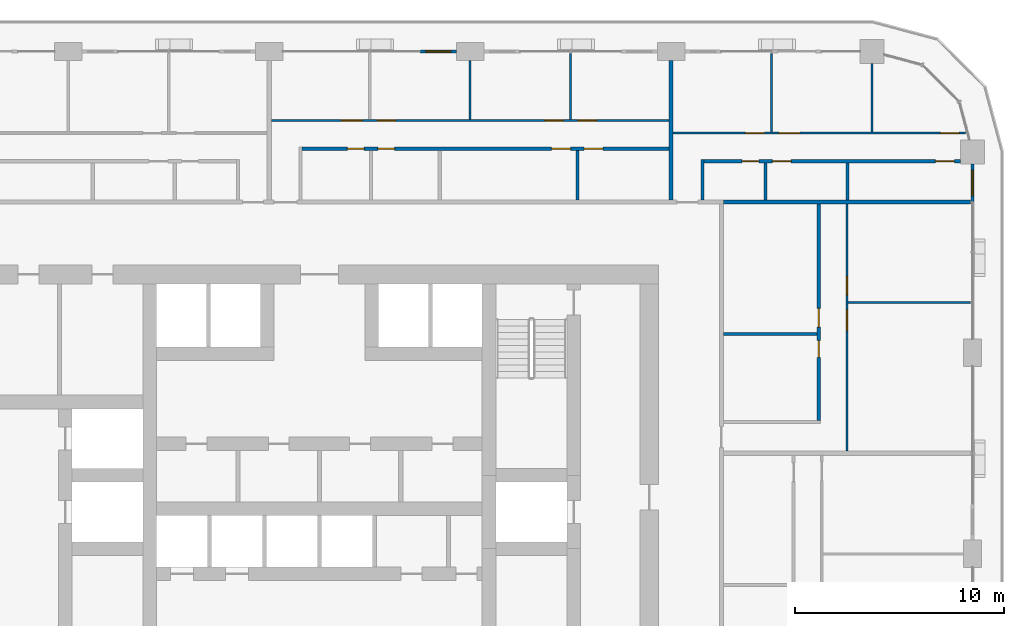
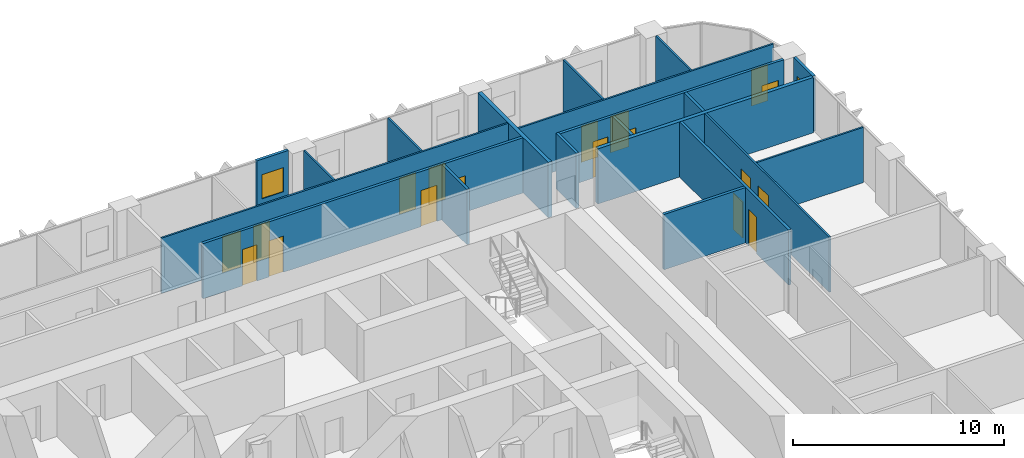
# One storey, part 15 of 22: 20 walls, 18 doors, 2 windows, 20 openings.
"""IFC4 building model written with IfcOpenShell, lengths in metres."""

import ifcopenshell
import ifcopenshell.guid

model = None  # the IFC model being written
_history = None  # IfcOwnerHistory: only IFC2X3 demands one
_inside = {}  # id of a spatial element -> (the spatial element, [elements in it])
_under = {}  # id of a project, library or spatial element -> (it, [spatial elements below it])
_declared = {}  # id of a project -> (the project, [libraries it declares])
_typed = {}  # id of a type object -> (the type object, [elements of that type])
_made_of = {}  # id of a material, layer set ... -> (it, [elements and type objects made of it])


def new_model(schema):
    """Start an empty IFC model of exactly this schema.

    Asked for "IFC4X3", IfcOpenShell would pick the latest addendum, in which some entities
    have other attributes; the version numbers below select the first issue.
    IFC2X3 requires an IfcOwnerHistory on every rooted entity: one is made here for all.
    """
    global model, _history
    if schema == "IFC4X3":
        model = ifcopenshell.file(schema_version=(4, 3, 0, 0))
    else:
        model = ifcopenshell.file(schema=schema)
    _inside.clear()
    _under.clear()
    _declared.clear()
    _typed.clear()
    _made_of.clear()
    _history = None
    if model.schema == "IFC2X3":
        org = make("IfcOrganization", Name="unknown")
        user = make(
            "IfcPersonAndOrganization",
            ThePerson=make("IfcPerson", FamilyName="unknown"),
            TheOrganization=org,
        )
        app = make(
            "IfcApplication",
            ApplicationDeveloper=org,
            Version="unknown",
            ApplicationFullName="unknown",
            ApplicationIdentifier="unknown",
        )
        _history = make(
            "IfcOwnerHistory",
            OwningUser=user,
            OwningApplication=app,
            ChangeAction="ADDED",
            CreationDate=0,
        )
    return model


def make(cls, **values):
    """One entity of the class cls with the attributes given. An attribute that is None is left unset."""
    return model.create_entity(
        cls, **{name: value for name, value in values.items() if value is not None}
    )


def rooted(cls, **values):
    """An entity with a GlobalId (a new one), such as an element, a storey or a relation."""
    return make(cls, GlobalId=ifcopenshell.guid.new(), OwnerHistory=_history, **values)


def si_unit(unit_type, name, prefix=None):
    """IfcSIUnit, for example si_unit("LENGTHUNIT", "METRE", prefix="MILLI")."""
    return make("IfcSIUnit", UnitType=unit_type, Prefix=prefix, Name=name)


def assignment(units):
    """IfcUnitAssignment: the units of a project."""
    return None if units is None else make("IfcUnitAssignment", Units=units)


def point(xyz):
    """IfcCartesianPoint."""
    return None if xyz is None else make("IfcCartesianPoint", Coordinates=xyz)


def direction(xyz):
    """IfcDirection."""
    return None if xyz is None else make("IfcDirection", DirectionRatios=xyz)


def frame(location, z_axis=None, x_axis=None):
    """IfcAxis2Placement3D, a coordinate frame: its origin and axes. An axis left out is left unset."""
    return make(
        "IfcAxis2Placement3D",
        Location=point(location),
        Axis=direction(z_axis),
        RefDirection=direction(x_axis),
    )


def frame_2d(location, x_axis=None):
    """IfcAxis2Placement2D, a coordinate frame in the plane: its origin and x axis."""
    return make(
        "IfcAxis2Placement2D", Location=point(location), RefDirection=direction(x_axis)
    )


def origin():
    """The frame at (0, 0, 0) with its axes left unset."""
    return frame((0.0, 0.0, 0.0))


def place(relative_to, where):
    """IfcLocalPlacement: puts the frame where relative to a parent placement (None: the world)."""
    return make(
        "IfcLocalPlacement", PlacementRelTo=relative_to, RelativePlacement=where
    )


def context(
    kind, dimensions, precision=None, world=None, true_north=None, identifier=None
):
    """IfcGeometricRepresentationContext, for example the 3D "Model" context."""
    return make(
        "IfcGeometricRepresentationContext",
        ContextIdentifier=identifier,
        ContextType=kind,
        CoordinateSpaceDimension=dimensions,
        Precision=precision,
        WorldCoordinateSystem=world,
        TrueNorth=true_north,
    )


def subcontext(parent, identifier, kind, view, scale=None):
    """IfcGeometricRepresentationSubContext, for example "Body" below "Model"."""
    return make(
        "IfcGeometricRepresentationSubContext",
        ContextIdentifier=identifier,
        ContextType=kind,
        ParentContext=parent,
        TargetScale=scale,
        TargetView=view,
    )


def project(units=None, contexts=None):
    """IfcProject with its units and contexts."""
    return rooted(
        "IfcProject",
        Name="project",
        RepresentationContexts=contexts,
        UnitsInContext=assignment(units),
    )


def spatial(cls, under=None, at=None, **own):
    """A site, building, storey or space (cls), placed at a placement, below another one or the project."""
    s = rooted(cls, ObjectPlacement=at, **own)
    if under is not None:
        _under.setdefault(under.id(), (under, []))[1].append(s)
    return s


def profile(cls, at=None, kind="AREA", **sizes):
    """A parametric profile (cls). Its sizes go by their IFC names, for example OverallWidth=200.0."""
    return make(cls, ProfileType=kind, Position=at, **sizes)


def rectangle(**sizes):
    """IfcRectangleProfileDef."""
    return profile("IfcRectangleProfileDef", **sizes)


def extrude(swept, where, along, depth):
    """IfcExtrudedAreaSolid: the profile swept, set in the frame where, extruded along a direction by depth."""
    return make(
        "IfcExtrudedAreaSolid",
        SweptArea=swept,
        Position=where,
        ExtrudedDirection=direction(along),
        Depth=depth,
    )


def shape(context_of_items, identifier, shape_type, items):
    """IfcShapeRepresentation: the items that make up one representation, for example the "Body"."""
    return make(
        "IfcShapeRepresentation",
        ContextOfItems=context_of_items,
        RepresentationIdentifier=identifier,
        RepresentationType=shape_type,
        Items=items,
    )


def material(Name=None, Category=None):
    """IfcMaterial."""
    return make("IfcMaterial", Name=Name, Category=Category)


def layer(
    of_material, thickness, ventilated=None, Name=None, Category=None, Priority=None
):
    """IfcMaterialLayer: one layer of a wall or slab, of a material (None: an air gap)."""
    return make(
        "IfcMaterialLayer",
        Material=of_material,
        LayerThickness=thickness,
        IsVentilated=ventilated,
        Name=Name,
        Category=Category,
        Priority=Priority,
    )


def layer_set(layers, Name=None):
    """IfcMaterialLayerSet."""
    return make("IfcMaterialLayerSet", MaterialLayers=layers, LayerSetName=Name)


def made_of(thing, what):
    """Note that an element or type object is made of a material, layer set ...; save() writes the relation."""
    if what is not None:
        _made_of.setdefault(what.id(), (what, []))[1].append(thing)
    return thing


def type_object(cls, material=None, **own):
    """A type object (cls), such as IfcWallType, which elements share."""
    return made_of(rooted(cls, **own), material)


def element(
    cls,
    number,
    at=None,
    inside=None,
    cuts=None,
    type_object=None,
    material=None,
    context=None,
    identifier="Body",
    shape_type=None,
    held_by="IfcProductDefinitionShape",
    body=None,
    shapes=None,
    **own,
):
    """One element of the class cls, such as IfcWall. Its Tag is "e" and its number.

    at: its placement. inside: the storey or other place that contains it. cuts: it is an
    opening in that element (IfcRelVoidsElement). A single representation is given by context,
    identifier, shape_type and body (its items); several are given by shapes. held_by: the class
    of the entity that holds the representations. save() writes the other relations.
    """
    e = rooted(cls, Tag="e%d" % number, ObjectPlacement=at, **own)
    if body is not None:
        shapes = [shape(context, identifier, shape_type, body)]
    if shapes is not None:
        e.Representation = make(held_by, Representations=shapes)
    if inside is not None:
        _inside.setdefault(inside.id(), (inside, []))[1].append(e)
    if cuts is not None:
        rooted(
            "IfcRelVoidsElement", RelatingBuildingElement=cuts, RelatedOpeningElement=e
        )
    if type_object is not None:
        _typed.setdefault(type_object.id(), (type_object, []))[1].append(e)
    return made_of(e, material)


def fill(opening, filler):
    """IfcRelFillsElement: the door or window that sits in an opening."""
    return rooted(
        "IfcRelFillsElement",
        RelatingOpeningElement=opening,
        RelatedBuildingElement=filler,
    )


def aggregate(whole, parts):
    """IfcRelAggregates: a whole, such as a stair, and the parts it consists of."""
    return rooted("IfcRelAggregates", RelatingObject=whole, RelatedObjects=parts)


def save(model, path):
    """Write the relations noted so far, then the file.

    IfcRelAggregates (storeys below a building ...), IfcRelContainedInSpatialStructure (elements
    in a storey), IfcRelDefinesByType, IfcRelAssociatesMaterial and IfcRelDeclares: one each for
    every whole, place, type object, material and project.
    """
    for whole, parts in _under.values():
        aggregate(whole, parts)
    for where, things in _inside.values():
        rooted(
            "IfcRelContainedInSpatialStructure",
            RelatedElements=things,
            RelatingStructure=where,
        )
    for kind, things in _typed.values():
        rooted("IfcRelDefinesByType", RelatedObjects=things, RelatingType=kind)
    for what, things in _made_of.values():
        rooted("IfcRelAssociatesMaterial", RelatedObjects=things, RelatingMaterial=what)
    for by, libraries in _declared.values():
        rooted("IfcRelDeclares", RelatingContext=by, RelatedDefinitions=libraries)
    model.write(path)


model = new_model("IFC4")

# Units and contexts
model_context = context("Model", 3, precision=1e-05, world=origin(), true_north=direction((0.0, 1.0)))
body_context = subcontext(model_context, "Body", "Model", "MODEL_VIEW")
ifc_project = project(units=[si_unit("LENGTHUNIT", "METRE"), si_unit("AREAUNIT", "SQUARE_METRE"), si_unit("VOLUMEUNIT", "CUBIC_METRE"), si_unit("PLANEANGLEUNIT", "RADIAN"), si_unit("MASSUNIT", "GRAM", prefix="KILO")], contexts=[model_context])

# Site, building, storey
site_placement = place(None, origin())
site = spatial("IfcSite", under=ifc_project, at=site_placement, CompositionType="ELEMENT")
building_placement = place(site_placement, origin())
building = spatial("IfcBuilding", under=site, at=building_placement, Name="Madar Terraces", CompositionType="ELEMENT")
storey_placement = place(building_placement, frame((0.0, 0.0, 59.300048828125)))
storey = spatial("IfcBuildingStorey", under=building, at=storey_placement, Name="L14", CompositionType="ELEMENT", Elevation=59.300048828125)

# Wall, opening, window
ifc_material_1 = material(Name="Aluminium composite panel, black, over insulated backing", Category="aluminium")
ifc_layer_1 = layer(ifc_material_1, 0.14990234375)
ifc_layer_set_1 = layer_set([ifc_layer_1], Name="Facade bay panel 150")
wall_type_1 = type_object("IfcWallType", Name="Facade bay panel 150", PredefinedType="SOLIDWALL", material=ifc_layer_set_1)
wall_1_placement = place(storey_placement, frame((62.39990234375, 40.800048828125, 0.0), z_axis=(0.0, 0.0, 1.0), x_axis=(0.0, 1.0, 0.0)))
wall_1 = element("IfcWall", 1, at=wall_1_placement, inside=storey, type_object=wall_type_1, Name="Facade bay panel", PredefinedType="SOLIDWALL", context=body_context, shape_type="SweptSolid", body=[
    extrude(rectangle(XDim=1.824951171875, YDim=0.14990234375, at=frame_2d((0.91259765625, 0.0))), origin(), (0.0, 0.0, 1.0), 3.199951171875),
])
opening_1_placement = place(wall_1_placement, frame((0.3125, 0.0, 0.89990234375)))
opening_1 = element("IfcOpeningElement", 2, at=opening_1_placement, cuts=wall_1, Name="Opening W1", PredefinedType="OPENING", context=body_context, shape_type="SweptSolid", body=[
    extrude(rectangle(XDim=1.199951171875, YDim=1.39990234375, at=frame_2d((0.60009765625, 0.699951171875))), frame((0.0, 0.0849609375, 0.0), z_axis=(0.0, -1.0, 0.0), x_axis=(1.0, 0.0, 0.0)), (0.0, 0.0, 1.0), 0.169921875),
])
ifc_material_2 = material(Name="Glass, clear, with black aluminium frame", Category="aluminium")
window_type = type_object("IfcWindowType", Name="Vent window 1200 x 1400", PartitioningType="SINGLE_PANEL", PredefinedType="WINDOW", material=ifc_material_2)
window_1_placement = place(opening_1_placement, origin())
window_1 = element("IfcWindow", 3, at=window_1_placement, inside=storey, type_object=window_type, Name="Operable vent window", OverallHeight=1.39990234375, OverallWidth=1.199951171875, PartitioningType="SINGLE_PANEL", PredefinedType="WINDOW", context=body_context, shape_type="SweptSolid", body=[
    extrude(rectangle(XDim=1.199951171875, YDim=1.39990234375, at=frame_2d((0.60009765625, 0.699951171875))), frame((0.0, 0.030029296875, 0.0), z_axis=(0.0, -1.0, 0.0), x_axis=(1.0, 0.0, 0.0)), (0.0, 0.0, 1.0), 0.06005859375),
])
fill(opening_1, window_1)

wall_2_placement = place(storey_placement, frame((37.75, 48.0, 0.0), z_axis=(0.0, 0.0, 1.0), x_axis=(-1.0, 0.0, 0.0)))
wall_2 = element("IfcWall", 4, at=wall_2_placement, inside=storey, type_object=wall_type_1, Name="Facade bay panel", PredefinedType="SOLIDWALL", context=body_context, shape_type="SweptSolid", body=[
    extrude(rectangle(XDim=1.75, YDim=0.14990234375, at=frame_2d((0.875, 0.0))), origin(), (0.0, 0.0, 1.0), 3.199951171875),
])
opening_2_placement = place(wall_2_placement, frame((0.27490234375, 0.0, 0.89990234375)))
opening_2 = element("IfcOpeningElement", 5, at=opening_2_placement, cuts=wall_2, Name="Opening W1", PredefinedType="OPENING", context=body_context, shape_type="SweptSolid", body=[
    extrude(rectangle(XDim=1.199951171875, YDim=1.39990234375, at=frame_2d((0.60009765625, 0.699951171875))), frame((0.0, 0.0849609375, 0.0), z_axis=(0.0, -1.0, 0.0), x_axis=(1.0, 0.0, 0.0)), (0.0, 0.0, 1.0), 0.169921875),
])
window_2_placement = place(opening_2_placement, origin())
window_2 = element("IfcWindow", 6, at=window_2_placement, inside=storey, type_object=window_type, Name="Operable vent window", OverallHeight=1.39990234375, OverallWidth=1.199951171875, PartitioningType="SINGLE_PANEL", PredefinedType="WINDOW", context=body_context, shape_type="SweptSolid", body=[
    extrude(rectangle(XDim=1.199951171875, YDim=1.39990234375, at=frame_2d((0.60009765625, 0.699951171875))), frame((0.0, 0.030029296875, 0.0), z_axis=(0.0, -1.0, 0.0), x_axis=(1.0, 0.0, 0.0)), (0.0, 0.0, 1.0), 0.06005859375),
])
fill(opening_2, window_2)

# Wall
ifc_material_3 = material(Name="Gypsum board on steel studs", Category="steel")
ifc_layer_2 = layer(ifc_material_3, 0.10009765625)
ifc_layer_set_2 = layer_set([ifc_layer_2], Name="Flat partition 100")
wall_type_2 = type_object("IfcWallType", Name="Flat partition 100", PredefinedType="PARTITIONING", material=ifc_layer_set_2)
wall_3_placement = place(storey_placement, frame((56.449951171875, 36.0, 0.0), z_axis=(0.0, 0.0, 1.0), x_axis=(1.0, 0.0, 0.0)))
element("IfcWall", 7, at=wall_3_placement, inside=storey, type_object=wall_type_2, Name="Flat partition 100", PredefinedType="PARTITIONING", context=body_context, shape_type="SweptSolid", body=[
    extrude(rectangle(XDim=5.85009765625, YDim=0.10009765625, at=frame_2d((2.925048828125, 0.0))), origin(), (0.0, 0.0, 1.0), 3.199951171875),
])

# Wall, openings, doors
wall_4_placement = place(storey_placement, frame((56.39990234375, 40.699951171875, 0.0), z_axis=(0.0, 0.0, 1.0), x_axis=(0.0, -1.0, 0.0)))
wall_4 = element("IfcWall", 8, at=wall_4_placement, inside=storey, type_object=wall_type_2, Name="Flat partition 100", PredefinedType="PARTITIONING", context=body_context, shape_type="SweptSolid", body=[
    extrude(rectangle(XDim=11.800048828125, YDim=0.10009765625, at=frame_2d((5.89990234375, 0.0))), origin(), (0.0, 0.0, 1.0), 3.199951171875),
])
opening_3_placement = place(wall_4_placement, frame((5.050048828125, 0.0, 0.0)))
opening_3 = element("IfcOpeningElement", 9, at=opening_3_placement, cuts=wall_4, Name="Opening D3", PredefinedType="OPENING", context=body_context, shape_type="SweptSolid", body=[
    extrude(rectangle(XDim=1.0, YDim=2.10009765625, at=frame_2d((0.5, 1.050048828125))), frame((0.0, 0.06005859375, 0.0), z_axis=(0.0, -1.0, 0.0), x_axis=(1.0, 0.0, 0.0)), (0.0, 0.0, 1.0), 0.1201171875),
])
opening_4_placement = place(wall_4_placement, frame((3.449951171875, 0.0, 0.0)))
opening_4 = element("IfcOpeningElement", 10, at=opening_4_placement, cuts=wall_4, Name="Opening D2", PredefinedType="OPENING", context=body_context, shape_type="SweptSolid", body=[
    extrude(rectangle(XDim=0.89990234375, YDim=2.10009765625, at=frame_2d((0.449951171875, 1.050048828125))), frame((0.0, 0.06005859375, 0.0), z_axis=(0.0, -1.0, 0.0), x_axis=(1.0, 0.0, 0.0)), (0.0, 0.0, 1.0), 0.1201171875),
])
ifc_material_4 = material(Name="Timber door leaf", Category="wood")
door_type_1 = type_object("IfcDoorType", Name="Flat living room door 1000", OperationType="NOTDEFINED", PredefinedType="DOOR", material=ifc_material_4)
door_1_placement = place(opening_3_placement, origin())
door_1 = element("IfcDoor", 11, at=door_1_placement, inside=storey, type_object=door_type_1, Name="Flat living room door 1000", OperationType="SINGLE_SWING_LEFT", OverallHeight=2.10009765625, OverallWidth=1.0, PredefinedType="DOOR", context=body_context, shape_type="SweptSolid", body=[
    extrude(rectangle(XDim=1.0, YDim=2.10009765625, at=frame_2d((0.5, 1.050048828125))), frame((0.0, 0.02490234375, 0.0), z_axis=(0.0, -1.0, 0.0), x_axis=(1.0, 0.0, 0.0)), (0.0, 0.0, 1.0), 0.050048828125),
])
fill(opening_3, door_1)
ifc_material_5 = material(Name="Timber door leaf", Category="wood")
door_type_2 = type_object("IfcDoorType", Name="Flat room door 900", OperationType="NOTDEFINED", PredefinedType="DOOR", material=ifc_material_5)
door_2_placement = place(opening_4_placement, origin())
door_2 = element("IfcDoor", 12, at=door_2_placement, inside=storey, type_object=door_type_2, Name="Flat room door 900", OperationType="SINGLE_SWING_RIGHT", OverallHeight=2.10009765625, OverallWidth=0.89990234375, PredefinedType="DOOR", context=body_context, shape_type="SweptSolid", body=[
    extrude(rectangle(XDim=0.89990234375, YDim=2.10009765625, at=frame_2d((0.449951171875, 1.050048828125))), frame((0.0, 0.02490234375, 0.0), z_axis=(0.0, -1.0, 0.0), x_axis=(1.0, 0.0, 0.0)), (0.0, 0.0, 1.0), 0.050048828125),
])
fill(opening_4, door_2)

# Walls
wall_5_placement = place(storey_placement, frame((52.800048828125, 44.14990234375, 0.0), z_axis=(0.0, 0.0, 1.0), x_axis=(0.0, 1.0, 0.0)))
element("IfcWall", 13, at=wall_5_placement, inside=storey, type_object=wall_type_2, Name="Flat partition 100", PredefinedType="PARTITIONING", context=body_context, shape_type="SweptSolid", body=[
    extrude(rectangle(XDim=3.75, YDim=0.10009765625, at=frame_2d((1.875, 0.0))), origin(), (0.0, 0.0, 1.0), 3.199951171875),
])
wall_6_placement = place(storey_placement, frame((57.60009765625, 44.14990234375, 0.0), z_axis=(0.0, 0.0, 1.0), x_axis=(0.0, 1.0, 0.0)))
element("IfcWall", 14, at=wall_6_placement, inside=storey, type_object=wall_type_2, Name="Flat partition 100", PredefinedType="PARTITIONING", context=body_context, shape_type="SweptSolid", body=[
    extrude(rectangle(XDim=3.275146484375, YDim=0.10009765625, at=frame_2d((1.6376953125, 0.0))), origin(), (0.0, 0.0, 1.0), 3.199951171875),
])

# Wall, openings, doors
wall_7_placement = place(storey_placement, frame((48.10009765625, 44.10009765625, 0.0), z_axis=(0.0, 0.0, 1.0), x_axis=(1.0, 0.0, 0.0)))
wall_7 = element("IfcWall", 15, at=wall_7_placement, inside=storey, type_object=wall_type_2, Name="Flat partition 100", PredefinedType="PARTITIONING", context=body_context, shape_type="SweptSolid", body=[
    extrude(rectangle(XDim=13.958740234375, YDim=0.10009765625, at=frame_2d((6.9794921875, 0.0))), origin(), (0.0, 0.0, 1.0), 3.199951171875),
])
opening_5_placement = place(wall_7_placement, frame((3.449951171875, 0.0, 0.0)))
opening_5 = element("IfcOpeningElement", 16, at=opening_5_placement, cuts=wall_7, Name="Opening D2", PredefinedType="OPENING", context=body_context, shape_type="SweptSolid", body=[
    extrude(rectangle(XDim=0.89990234375, YDim=2.10009765625, at=frame_2d((0.449951171875, 1.050048828125))), frame((0.0, 0.06005859375, 0.0), z_axis=(0.0, -1.0, 0.0), x_axis=(1.0, 0.0, 0.0)), (0.0, 0.0, 1.0), 0.1201171875),
])
opening_6_placement = place(wall_7_placement, frame((5.050048828125, 0.0, 0.0)))
opening_6 = element("IfcOpeningElement", 17, at=opening_6_placement, cuts=wall_7, Name="Opening D3", PredefinedType="OPENING", context=body_context, shape_type="SweptSolid", body=[
    extrude(rectangle(XDim=1.0, YDim=2.10009765625, at=frame_2d((0.5, 1.050048828125))), frame((0.0, 0.06005859375, 0.0), z_axis=(0.0, -1.0, 0.0), x_axis=(1.0, 0.0, 0.0)), (0.0, 0.0, 1.0), 0.1201171875),
])
opening_7_placement = place(wall_7_placement, frame((12.7587890625, 0.0, 0.0)))
opening_7 = element("IfcOpeningElement", 18, at=opening_7_placement, cuts=wall_7, Name="Opening D2", PredefinedType="OPENING", context=body_context, shape_type="SweptSolid", body=[
    extrude(rectangle(XDim=0.89990234375, YDim=2.10009765625, at=frame_2d((0.449951171875, 1.050048828125))), frame((0.0, 0.06005859375, 0.0), z_axis=(0.0, -1.0, 0.0), x_axis=(1.0, 0.0, 0.0)), (0.0, 0.0, 1.0), 0.1201171875),
])
door_3_placement = place(opening_6_placement, origin())
door_3 = element("IfcDoor", 19, at=door_3_placement, inside=storey, type_object=door_type_1, Name="Flat living room door 1000", OperationType="SINGLE_SWING_LEFT", OverallHeight=2.10009765625, OverallWidth=1.0, PredefinedType="DOOR", context=body_context, shape_type="SweptSolid", body=[
    extrude(rectangle(XDim=1.0, YDim=2.10009765625, at=frame_2d((0.5, 1.050048828125))), frame((0.0, 0.02490234375, 0.0), z_axis=(0.0, -1.0, 0.0), x_axis=(1.0, 0.0, 0.0)), (0.0, 0.0, 1.0), 0.050048828125),
])
fill(opening_6, door_3)
door_4_placement = place(opening_5_placement, origin())
door_4 = element("IfcDoor", 20, at=door_4_placement, inside=storey, type_object=door_type_2, Name="Flat room door 900", OperationType="SINGLE_SWING_RIGHT", OverallHeight=2.10009765625, OverallWidth=0.89990234375, PredefinedType="DOOR", context=body_context, shape_type="SweptSolid", body=[
    extrude(rectangle(XDim=0.89990234375, YDim=2.10009765625, at=frame_2d((0.449951171875, 1.050048828125))), frame((0.0, 0.02490234375, 0.0), z_axis=(0.0, -1.0, 0.0), x_axis=(1.0, 0.0, 0.0)), (0.0, 0.0, 1.0), 0.050048828125),
])
fill(opening_5, door_4)
door_5_placement = place(opening_7_placement, origin())
door_5 = element("IfcDoor", 21, at=door_5_placement, inside=storey, type_object=door_type_2, Name="Flat room door 900", OperationType="SINGLE_SWING_RIGHT", OverallHeight=2.10009765625, OverallWidth=0.89990234375, PredefinedType="DOOR", context=body_context, shape_type="SweptSolid", body=[
    extrude(rectangle(XDim=0.89990234375, YDim=2.10009765625, at=frame_2d((0.449951171875, 1.050048828125))), frame((0.0, 0.02490234375, 0.0), z_axis=(0.0, -1.0, 0.0), x_axis=(1.0, 0.0, 0.0)), (0.0, 0.0, 1.0), 0.050048828125),
])
fill(opening_7, door_5)

# Walls
wall_8_placement = place(storey_placement, frame((38.39990234375, 44.75, 0.0), z_axis=(0.0, 0.0, 1.0), x_axis=(0.0, 1.0, 0.0)))
element("IfcWall", 22, at=wall_8_placement, inside=storey, type_object=wall_type_2, Name="Flat partition 100", PredefinedType="PARTITIONING", context=body_context, shape_type="SweptSolid", body=[
    extrude(rectangle(XDim=2.824951171875, YDim=0.10009765625, at=frame_2d((1.41259765625, 0.0))), origin(), (0.0, 0.0, 1.0), 3.199951171875),
])
wall_9_placement = place(storey_placement, frame((43.199951171875, 44.75, 0.0), z_axis=(0.0, 0.0, 1.0), x_axis=(0.0, 1.0, 0.0)))
element("IfcWall", 23, at=wall_9_placement, inside=storey, type_object=wall_type_2, Name="Flat partition 100", PredefinedType="PARTITIONING", context=body_context, shape_type="SweptSolid", body=[
    extrude(rectangle(XDim=3.14990234375, YDim=0.10009765625, at=frame_2d((1.574951171875, 0.0))), origin(), (0.0, 0.0, 1.0), 3.199951171875),
])

# Wall, openings, doors
wall_10_placement = place(storey_placement, frame((28.89990234375, 44.699951171875, 0.0), z_axis=(0.0, 0.0, 1.0), x_axis=(1.0, 0.0, 0.0)))
wall_10 = element("IfcWall", 24, at=wall_10_placement, inside=storey, type_object=wall_type_2, Name="Flat partition 100", PredefinedType="PARTITIONING", context=body_context, shape_type="SweptSolid", body=[
    extrude(rectangle(XDim=19.0, YDim=0.10009765625, at=frame_2d((9.5, 0.0))), origin(), (0.0, 0.0, 1.0), 3.199951171875),
])
opening_8_placement = place(wall_10_placement, frame((3.35009765625, 0.0, 0.0)))
opening_8 = element("IfcOpeningElement", 25, at=opening_8_placement, cuts=wall_10, Name="Opening D3", PredefinedType="OPENING", context=body_context, shape_type="SweptSolid", body=[
    extrude(rectangle(XDim=1.0, YDim=2.10009765625, at=frame_2d((0.5, 1.050048828125))), frame((0.0, 0.06005859375, 0.0), z_axis=(0.0, -1.0, 0.0), x_axis=(1.0, 0.0, 0.0)), (0.0, 0.0, 1.0), 0.1201171875),
])
opening_9_placement = place(wall_10_placement, frame((5.050048828125, 0.0, 0.0)))
opening_9 = element("IfcOpeningElement", 26, at=opening_9_placement, cuts=wall_10, Name="Opening D2", PredefinedType="OPENING", context=body_context, shape_type="SweptSolid", body=[
    extrude(rectangle(XDim=0.89990234375, YDim=2.10009765625, at=frame_2d((0.449951171875, 1.050048828125))), frame((0.0, 0.06005859375, 0.0), z_axis=(0.0, -1.0, 0.0), x_axis=(1.0, 0.0, 0.0)), (0.0, 0.0, 1.0), 0.1201171875),
])
opening_10_placement = place(wall_10_placement, frame((13.050048828125, 0.0, 0.0)))
opening_10 = element("IfcOpeningElement", 27, at=opening_10_placement, cuts=wall_10, Name="Opening D2", PredefinedType="OPENING", context=body_context, shape_type="SweptSolid", body=[
    extrude(rectangle(XDim=0.89990234375, YDim=2.10009765625, at=frame_2d((0.449951171875, 1.050048828125))), frame((0.0, 0.06005859375, 0.0), z_axis=(0.0, -1.0, 0.0), x_axis=(1.0, 0.0, 0.0)), (0.0, 0.0, 1.0), 0.1201171875),
])
opening_11_placement = place(wall_10_placement, frame((14.64990234375, 0.0, 0.0)))
opening_11 = element("IfcOpeningElement", 28, at=opening_11_placement, cuts=wall_10, Name="Opening D2", PredefinedType="OPENING", context=body_context, shape_type="SweptSolid", body=[
    extrude(rectangle(XDim=0.89990234375, YDim=2.10009765625, at=frame_2d((0.449951171875, 1.050048828125))), frame((0.0, 0.06005859375, 0.0), z_axis=(0.0, -1.0, 0.0), x_axis=(1.0, 0.0, 0.0)), (0.0, 0.0, 1.0), 0.1201171875),
])
door_6_placement = place(opening_8_placement, origin())
door_6 = element("IfcDoor", 29, at=door_6_placement, inside=storey, type_object=door_type_1, Name="Flat living room door 1000", OperationType="SINGLE_SWING_RIGHT", OverallHeight=2.10009765625, OverallWidth=1.0, PredefinedType="DOOR", context=body_context, shape_type="SweptSolid", body=[
    extrude(rectangle(XDim=1.0, YDim=2.10009765625, at=frame_2d((0.5, 1.050048828125))), frame((0.0, 0.02490234375, 0.0), z_axis=(0.0, -1.0, 0.0), x_axis=(1.0, 0.0, 0.0)), (0.0, 0.0, 1.0), 0.050048828125),
])
fill(opening_8, door_6)
door_7_placement = place(opening_9_placement, origin())
door_7 = element("IfcDoor", 30, at=door_7_placement, inside=storey, type_object=door_type_2, Name="Flat room door 900", OperationType="SINGLE_SWING_LEFT", OverallHeight=2.10009765625, OverallWidth=0.89990234375, PredefinedType="DOOR", context=body_context, shape_type="SweptSolid", body=[
    extrude(rectangle(XDim=0.89990234375, YDim=2.10009765625, at=frame_2d((0.449951171875, 1.050048828125))), frame((0.0, 0.02490234375, 0.0), z_axis=(0.0, -1.0, 0.0), x_axis=(1.0, 0.0, 0.0)), (0.0, 0.0, 1.0), 0.050048828125),
])
fill(opening_9, door_7)
door_8_placement = place(opening_10_placement, origin())
door_8 = element("IfcDoor", 31, at=door_8_placement, inside=storey, type_object=door_type_2, Name="Flat room door 900", OperationType="SINGLE_SWING_RIGHT", OverallHeight=2.10009765625, OverallWidth=0.89990234375, PredefinedType="DOOR", context=body_context, shape_type="SweptSolid", body=[
    extrude(rectangle(XDim=0.89990234375, YDim=2.10009765625, at=frame_2d((0.449951171875, 1.050048828125))), frame((0.0, 0.02490234375, 0.0), z_axis=(0.0, -1.0, 0.0), x_axis=(1.0, 0.0, 0.0)), (0.0, 0.0, 1.0), 0.050048828125),
])
fill(opening_10, door_8)
door_9_placement = place(opening_11_placement, origin())
door_9 = element("IfcDoor", 32, at=door_9_placement, inside=storey, type_object=door_type_2, Name="Flat room door 900", OperationType="SINGLE_SWING_LEFT", OverallHeight=2.10009765625, OverallWidth=0.89990234375, PredefinedType="DOOR", context=body_context, shape_type="SweptSolid", body=[
    extrude(rectangle(XDim=0.89990234375, YDim=2.10009765625, at=frame_2d((0.449951171875, 1.050048828125))), frame((0.0, 0.02490234375, 0.0), z_axis=(0.0, -1.0, 0.0), x_axis=(1.0, 0.0, 0.0)), (0.0, 0.0, 1.0), 0.050048828125),
])
fill(opening_11, door_9)

# Walls
ifc_material_6 = material(Name="Lightweight blockwork", Category="masonry")
ifc_layer_3 = layer(ifc_material_6, 0.199951171875)
ifc_layer_set_3 = layer_set([ifc_layer_3], Name="Flat party and entrance wall 200")
wall_type_3 = type_object("IfcWallType", Name="Flat party and entrance wall 200", PredefinedType="PARTITIONING", material=ifc_layer_set_3)
wall_11_placement = place(storey_placement, frame((50.5, 40.800048828125, 0.0), z_axis=(0.0, 0.0, 1.0), x_axis=(1.0, 0.0, 0.0)))
element("IfcWall", 33, at=wall_11_placement, inside=storey, type_object=wall_type_3, Name="Flat party and entrance wall 200", PredefinedType="PARTITIONING", context=body_context, shape_type="SweptSolid", body=[
    extrude(rectangle(XDim=11.800048828125, YDim=0.199951171875, at=frame_2d((5.89990234375, 0.0))), origin(), (0.0, 0.0, 1.0), 3.199951171875),
])
wall_12_placement = place(storey_placement, frame((48.0, 47.574951171875, 0.0), z_axis=(0.0, 0.0, 1.0), x_axis=(0.0, -1.0, 0.0)))
element("IfcWall", 34, at=wall_12_placement, inside=storey, type_object=wall_type_3, Name="Flat party and entrance wall 200", PredefinedType="PARTITIONING", context=body_context, shape_type="SweptSolid", body=[
    extrude(rectangle(XDim=6.675048828125, YDim=0.199951171875, at=frame_2d((3.33740234375, 0.0))), origin(), (0.0, 0.0, 1.0), 3.199951171875),
])
ifc_material_7 = material(Name="Lightweight blockwork", Category="masonry")
ifc_layer_4 = layer(ifc_material_7, 0.14990234375)
ifc_layer_set_4 = layer_set([ifc_layer_4], Name="Flat wet-room partition 150")
wall_type_4 = type_object("IfcWallType", Name="Flat wet-room partition 150", PredefinedType="PARTITIONING", material=ifc_layer_set_4)
wall_13_placement = place(storey_placement, frame((50.5, 34.5048828125, 0.0), z_axis=(0.0, 0.0, 1.0), x_axis=(1.0, 0.0, 0.0)))
element("IfcWall", 35, at=wall_13_placement, inside=storey, type_object=wall_type_4, Name="Flat wet-room partition 150", PredefinedType="PARTITIONING", context=body_context, shape_type="SweptSolid", body=[
    extrude(rectangle(XDim=4.47509765625, YDim=0.14990234375, at=frame_2d((2.237548828125, 0.0))), origin(), (0.0, 0.0, 1.0), 3.199951171875),
])

# Wall, openings, doors
wall_14_placement = place(storey_placement, frame((55.050048828125, 30.375, 0.0), z_axis=(0.0, 0.0, 1.0), x_axis=(0.0, 1.0, 0.0)))
wall_14 = element("IfcWall", 36, at=wall_14_placement, inside=storey, type_object=wall_type_4, Name="Flat wet-room partition 150", PredefinedType="PARTITIONING", context=body_context, shape_type="SweptSolid", body=[
    extrude(rectangle(XDim=10.324951171875, YDim=0.14990234375, at=frame_2d((5.16259765625, 0.0))), origin(), (0.0, 0.0, 1.0), 3.199951171875),
])
opening_12_placement = place(wall_14_placement, frame((3.0048828125, 0.0, 0.0)))
opening_12 = element("IfcOpeningElement", 37, at=opening_12_placement, cuts=wall_14, Name="Opening D4", PredefinedType="OPENING", context=body_context, shape_type="SweptSolid", body=[
    extrude(rectangle(XDim=0.800048828125, YDim=2.10009765625, at=frame_2d((0.39990234375, 1.050048828125))), frame((0.0, 0.0849609375, 0.0), z_axis=(0.0, -1.0, 0.0), x_axis=(1.0, 0.0, 0.0)), (0.0, 0.0, 1.0), 0.169921875),
])
opening_13_placement = place(wall_14_placement, frame((4.455078125, 0.0, 0.0)))
opening_13 = element("IfcOpeningElement", 38, at=opening_13_placement, cuts=wall_14, Name="Opening D2", PredefinedType="OPENING", context=body_context, shape_type="SweptSolid", body=[
    extrude(rectangle(XDim=0.89990234375, YDim=2.10009765625, at=frame_2d((0.449951171875, 1.050048828125))), frame((0.0, 0.0849609375, 0.0), z_axis=(0.0, -1.0, 0.0), x_axis=(1.0, 0.0, 0.0)), (0.0, 0.0, 1.0), 0.169921875),
])
ifc_material_8 = material(Name="Timber door leaf", Category="wood")
door_type_3 = type_object("IfcDoorType", Name="Flat bathroom door 800", OperationType="NOTDEFINED", PredefinedType="DOOR", material=ifc_material_8)
door_10_placement = place(opening_12_placement, origin())
door_10 = element("IfcDoor", 39, at=door_10_placement, inside=storey, type_object=door_type_3, Name="Flat bathroom door 800", OperationType="SINGLE_SWING_RIGHT", OverallHeight=2.10009765625, OverallWidth=0.800048828125, PredefinedType="DOOR", context=body_context, shape_type="SweptSolid", body=[
    extrude(rectangle(XDim=0.800048828125, YDim=2.10009765625, at=frame_2d((0.39990234375, 1.050048828125))), frame((0.0, 0.02490234375, 0.0), z_axis=(0.0, -1.0, 0.0), x_axis=(1.0, 0.0, 0.0)), (0.0, 0.0, 1.0), 0.050048828125),
])
fill(opening_12, door_10)
door_11_placement = place(opening_13_placement, origin())
door_11 = element("IfcDoor", 40, at=door_11_placement, inside=storey, type_object=door_type_2, Name="Flat room door 900", OperationType="SINGLE_SWING_LEFT", OverallHeight=2.10009765625, OverallWidth=0.89990234375, PredefinedType="DOOR", context=body_context, shape_type="SweptSolid", body=[
    extrude(rectangle(XDim=0.89990234375, YDim=2.10009765625, at=frame_2d((0.449951171875, 1.050048828125))), frame((0.0, 0.02490234375, 0.0), z_axis=(0.0, -1.0, 0.0), x_axis=(1.0, 0.0, 0.0)), (0.0, 0.0, 1.0), 0.050048828125),
])
fill(opening_13, door_11)

# Walls
for number, where, z_axis, x_axis, name in (
    (41, (52.511474609375, 40.89990234375, 0.0), (0.0, 0.0, 1.0), (0.0, 1.0, 0.0), "Flat wet-room partition 150"),
    (42, (56.427001953125, 40.89990234375, 0.0), (0.0, 0.0, 1.0), (0.0, 1.0, 0.0), "Flat wet-room partition 150"),
):
    element("IfcWall", number, at=place(storey_placement, frame(where, z_axis=z_axis, x_axis=x_axis)), inside=storey, type_object=wall_type_4, Name=name, PredefinedType="PARTITIONING", context=body_context, shape_type="SweptSolid", body=[
        extrude(rectangle(XDim=1.775146484375, YDim=0.14990234375, at=frame_2d((0.8876953125, 0.0))), origin(), (0.0, 0.0, 1.0), 3.199951171875),
    ])
wall_15_placement = place(storey_placement, frame((49.5, 40.89990234375, 0.0), z_axis=(0.0, 0.0, 1.0), x_axis=(0.0, 1.0, 0.0)))
element("IfcWall", 43, at=wall_15_placement, inside=storey, type_object=wall_type_4, Name="Flat wet-room partition 150", PredefinedType="PARTITIONING", context=body_context, shape_type="SweptSolid", body=[
    extrude(rectangle(XDim=1.925048828125, YDim=0.14990234375, at=frame_2d((0.96240234375, 0.0))), origin(), (0.0, 0.0, 1.0), 3.199951171875),
])

# Wall, openings, doors
wall_16_placement = place(storey_placement, frame((61.824951171875, 42.75, 0.0), z_axis=(0.0, 0.0, 1.0), x_axis=(-1.0, 0.0, 0.0)))
wall_16 = element("IfcWall", 44, at=wall_16_placement, inside=storey, type_object=wall_type_4, Name="Flat wet-room partition 150", PredefinedType="PARTITIONING", context=body_context, shape_type="SweptSolid", body=[
    extrude(rectangle(XDim=12.25, YDim=0.14990234375, at=frame_2d((6.125, 0.0))), origin(), (0.0, 0.0, 1.0), 3.199951171875),
])
opening_14_placement = place(wall_16_placement, frame((9.638427734375, 0.0, 0.0)))
opening_14 = element("IfcOpeningElement", 45, at=opening_14_placement, cuts=wall_16, Name="Opening D4", PredefinedType="OPENING", context=body_context, shape_type="SweptSolid", body=[
    extrude(rectangle(XDim=0.800048828125, YDim=2.10009765625, at=frame_2d((0.39990234375, 1.050048828125))), frame((0.0, 0.0849609375, 0.0), z_axis=(0.0, -1.0, 0.0), x_axis=(1.0, 0.0, 0.0)), (0.0, 0.0, 1.0), 0.169921875),
])
opening_15_placement = place(wall_16_placement, frame((8.08837890625, 0.0, 0.0)))
opening_15 = element("IfcOpeningElement", 46, at=opening_15_placement, cuts=wall_16, Name="Opening D5", PredefinedType="OPENING", context=body_context, shape_type="SweptSolid", body=[
    extrude(rectangle(XDim=0.89990234375, YDim=2.10009765625, at=frame_2d((0.449951171875, 1.050048828125))), frame((0.0, 0.0849609375, 0.0), z_axis=(0.0, -1.0, 0.0), x_axis=(1.0, 0.0, 0.0)), (0.0, 0.0, 1.0), 0.169921875),
])
opening_16_placement = place(wall_16_placement, frame((0.300048828125, 0.0, 0.0)))
opening_16 = element("IfcOpeningElement", 47, at=opening_16_placement, cuts=wall_16, Name="Opening D2", PredefinedType="OPENING", context=body_context, shape_type="SweptSolid", body=[
    extrude(rectangle(XDim=0.89990234375, YDim=2.10009765625, at=frame_2d((0.449951171875, 1.050048828125))), frame((0.0, 0.0849609375, 0.0), z_axis=(0.0, -1.0, 0.0), x_axis=(1.0, 0.0, 0.0)), (0.0, 0.0, 1.0), 0.169921875),
])
ifc_material_9 = material(Name="Timber door leaf", Category="wood")
door_type_4 = type_object("IfcDoorType", Name="Flat accessible bathroom door 900", OperationType="NOTDEFINED", PredefinedType="DOOR", material=ifc_material_9)
door_12_placement = place(opening_15_placement, origin())
door_12 = element("IfcDoor", 48, at=door_12_placement, inside=storey, type_object=door_type_4, Name="Flat accessible bathroom door 900", OperationType="SINGLE_SWING_RIGHT", OverallHeight=2.10009765625, OverallWidth=0.89990234375, PredefinedType="DOOR", context=body_context, shape_type="SweptSolid", body=[
    extrude(rectangle(XDim=0.89990234375, YDim=2.10009765625, at=frame_2d((0.449951171875, 1.050048828125))), frame((0.0, 0.02490234375, 0.0), z_axis=(0.0, -1.0, 0.0), x_axis=(1.0, 0.0, 0.0)), (0.0, 0.0, 1.0), 0.050048828125),
])
fill(opening_15, door_12)
door_13_placement = place(opening_14_placement, origin())
door_13 = element("IfcDoor", 49, at=door_13_placement, inside=storey, type_object=door_type_3, Name="Flat bathroom door 800", OperationType="SINGLE_SWING_LEFT", OverallHeight=2.10009765625, OverallWidth=0.800048828125, PredefinedType="DOOR", context=body_context, shape_type="SweptSolid", body=[
    extrude(rectangle(XDim=0.800048828125, YDim=2.10009765625, at=frame_2d((0.39990234375, 1.050048828125))), frame((0.0, 0.02490234375, 0.0), z_axis=(0.0, -1.0, 0.0), x_axis=(1.0, 0.0, 0.0)), (0.0, 0.0, 1.0), 0.050048828125),
])
fill(opening_14, door_13)
door_14_placement = place(opening_16_placement, origin())
door_14 = element("IfcDoor", 50, at=door_14_placement, inside=storey, type_object=door_type_2, Name="Flat room door 900", OperationType="SINGLE_SWING_LEFT", OverallHeight=2.10009765625, OverallWidth=0.89990234375, PredefinedType="DOOR", context=body_context, shape_type="SweptSolid", body=[
    extrude(rectangle(XDim=0.89990234375, YDim=2.10009765625, at=frame_2d((0.449951171875, 1.050048828125))), frame((0.0, 0.02490234375, 0.0), z_axis=(0.0, -1.0, 0.0), x_axis=(1.0, 0.0, 0.0)), (0.0, 0.0, 1.0), 0.050048828125),
])
fill(opening_16, door_14)

# Wall
wall_17_placement = place(storey_placement, frame((43.518798828125, 40.89990234375, 0.0), z_axis=(0.0, 0.0, 1.0), x_axis=(0.0, 1.0, 0.0)))
element("IfcWall", 51, at=wall_17_placement, inside=storey, type_object=wall_type_4, Name="Flat wet-room partition 150", PredefinedType="PARTITIONING", context=body_context, shape_type="SweptSolid", body=[
    extrude(rectangle(XDim=2.375, YDim=0.14990234375, at=frame_2d((1.1875, 0.0))), origin(), (0.0, 0.0, 1.0), 3.199951171875),
])

# Wall, openings, doors
wall_18_placement = place(storey_placement, frame((47.89990234375, 43.35009765625, 0.0), z_axis=(0.0, 0.0, 1.0), x_axis=(-1.0, 0.0, 0.0)))
wall_18 = element("IfcWall", 52, at=wall_18_placement, inside=storey, type_object=wall_type_4, Name="Flat wet-room partition 150", PredefinedType="PARTITIONING", context=body_context, shape_type="SweptSolid", body=[
    extrude(rectangle(XDim=17.52490234375, YDim=0.14990234375, at=frame_2d((8.762451171875, 0.0))), origin(), (0.0, 0.0, 1.0), 3.199951171875),
])
opening_17_placement = place(wall_18_placement, frame((14.564208984375, 0.0, 0.0)))
opening_17 = element("IfcOpeningElement", 53, at=opening_17_placement, cuts=wall_18, Name="Opening D4", PredefinedType="OPENING", context=body_context, shape_type="SweptSolid", body=[
    extrude(rectangle(XDim=0.800048828125, YDim=2.10009765625, at=frame_2d((0.39990234375, 1.050048828125))), frame((0.0, 0.0849609375, 0.0), z_axis=(0.0, -1.0, 0.0), x_axis=(1.0, 0.0, 0.0)), (0.0, 0.0, 1.0), 0.169921875),
])
opening_18_placement = place(wall_18_placement, frame((13.114013671875, 0.0, 0.0)))
opening_18 = element("IfcOpeningElement", 54, at=opening_18_placement, cuts=wall_18, Name="Opening D7", PredefinedType="OPENING", context=body_context, shape_type="SweptSolid", body=[
    extrude(rectangle(XDim=0.800048828125, YDim=2.10009765625, at=frame_2d((0.39990234375, 1.050048828125))), frame((0.0, 0.0849609375, 0.0), z_axis=(0.0, -1.0, 0.0), x_axis=(1.0, 0.0, 0.0)), (0.0, 0.0, 1.0), 0.169921875),
])
opening_19_placement = place(wall_18_placement, frame((4.706298828125, 0.0, 0.0)))
opening_19 = element("IfcOpeningElement", 55, at=opening_19_placement, cuts=wall_18, Name="Opening D2", PredefinedType="OPENING", context=body_context, shape_type="SweptSolid", body=[
    extrude(rectangle(XDim=0.89990234375, YDim=2.10009765625, at=frame_2d((0.449951171875, 1.050048828125))), frame((0.0, 0.0849609375, 0.0), z_axis=(0.0, -1.0, 0.0), x_axis=(1.0, 0.0, 0.0)), (0.0, 0.0, 1.0), 0.169921875),
])
opening_20_placement = place(wall_18_placement, frame((3.15625, 0.0, 0.0)))
opening_20 = element("IfcOpeningElement", 56, at=opening_20_placement, cuts=wall_18, Name="Opening D5", PredefinedType="OPENING", context=body_context, shape_type="SweptSolid", body=[
    extrude(rectangle(XDim=0.89990234375, YDim=2.10009765625, at=frame_2d((0.449951171875, 1.050048828125))), frame((0.0, 0.0849609375, 0.0), z_axis=(0.0, -1.0, 0.0), x_axis=(1.0, 0.0, 0.0)), (0.0, 0.0, 1.0), 0.169921875),
])
door_15_placement = place(opening_20_placement, origin())
door_15 = element("IfcDoor", 57, at=door_15_placement, inside=storey, type_object=door_type_4, Name="Flat accessible bathroom door 900", OperationType="SINGLE_SWING_RIGHT", OverallHeight=2.10009765625, OverallWidth=0.89990234375, PredefinedType="DOOR", context=body_context, shape_type="SweptSolid", body=[
    extrude(rectangle(XDim=0.89990234375, YDim=2.10009765625, at=frame_2d((0.449951171875, 1.050048828125))), frame((0.0, 0.02490234375, 0.0), z_axis=(0.0, -1.0, 0.0), x_axis=(1.0, 0.0, 0.0)), (0.0, 0.0, 1.0), 0.050048828125),
])
fill(opening_20, door_15)
door_16_placement = place(opening_17_placement, origin())
door_16 = element("IfcDoor", 58, at=door_16_placement, inside=storey, type_object=door_type_3, Name="Flat bathroom door 800", OperationType="SINGLE_SWING_LEFT", OverallHeight=2.10009765625, OverallWidth=0.800048828125, PredefinedType="DOOR", context=body_context, shape_type="SweptSolid", body=[
    extrude(rectangle(XDim=0.800048828125, YDim=2.10009765625, at=frame_2d((0.39990234375, 1.050048828125))), frame((0.0, 0.02490234375, 0.0), z_axis=(0.0, -1.0, 0.0), x_axis=(1.0, 0.0, 0.0)), (0.0, 0.0, 1.0), 0.050048828125),
])
fill(opening_17, door_16)
door_17_placement = place(opening_19_placement, origin())
door_17 = element("IfcDoor", 59, at=door_17_placement, inside=storey, type_object=door_type_2, Name="Flat room door 900", OperationType="SINGLE_SWING_LEFT", OverallHeight=2.10009765625, OverallWidth=0.89990234375, PredefinedType="DOOR", context=body_context, shape_type="SweptSolid", body=[
    extrude(rectangle(XDim=0.89990234375, YDim=2.10009765625, at=frame_2d((0.449951171875, 1.050048828125))), frame((0.0, 0.02490234375, 0.0), z_axis=(0.0, -1.0, 0.0), x_axis=(1.0, 0.0, 0.0)), (0.0, 0.0, 1.0), 0.050048828125),
])
fill(opening_19, door_17)
ifc_material_10 = material(Name="Timber door leaf", Category="wood")
door_type_5 = type_object("IfcDoorType", Name="Flat utility door 800", OperationType="NOTDEFINED", PredefinedType="DOOR", material=ifc_material_10)
door_18_placement = place(opening_18_placement, origin())
door_18 = element("IfcDoor", 60, at=door_18_placement, inside=storey, type_object=door_type_5, Name="Flat utility door 800", OperationType="SINGLE_SWING_RIGHT", OverallHeight=2.10009765625, OverallWidth=0.800048828125, PredefinedType="DOOR", context=body_context, shape_type="SweptSolid", body=[
    extrude(rectangle(XDim=0.800048828125, YDim=2.10009765625, at=frame_2d((0.39990234375, 1.050048828125))), frame((0.0, 0.02490234375, 0.0), z_axis=(0.0, -1.0, 0.0), x_axis=(1.0, 0.0, 0.0)), (0.0, 0.0, 1.0), 0.050048828125),
])
fill(opening_18, door_18)

save(model, "model.ifc")
